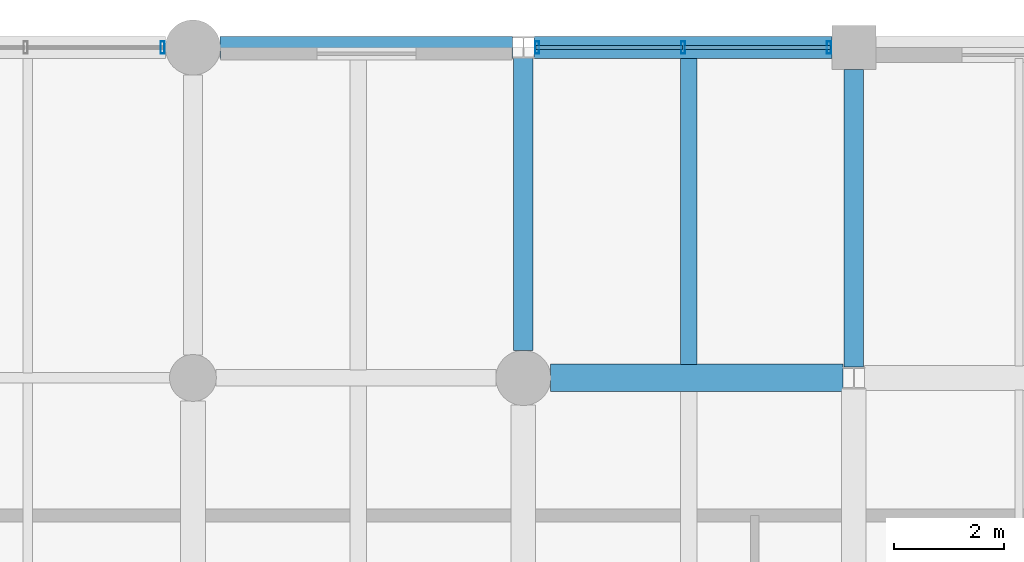
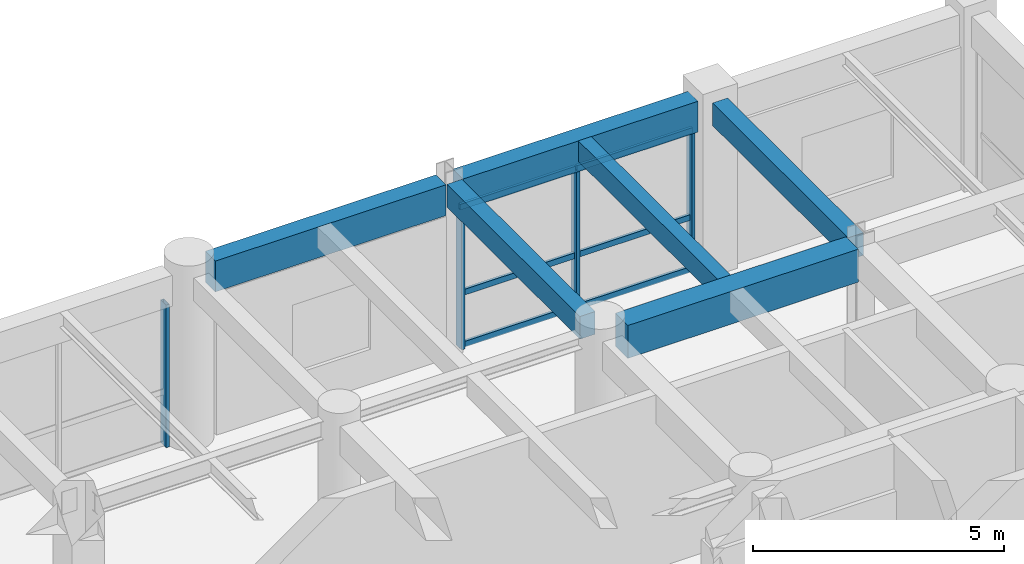
# One storey, part 86 of 133: 10 members, 6 beams, 2 elements without a shape of their own.
"""IFC4 building model written with IfcOpenShell, lengths in metres."""

from ifc_helpers import new_model, si_unit, direction, frame, origin, origin_2d, place, context, subcontext, project, spatial, rectangle, hollow_rectangle, extrude, material, material_profile, profile_set, type_object, element, aggregate, save


model = new_model("IFC4")

# Units and contexts
model_context = context("Model", 3, precision=1e-05, world=origin(), true_north=direction((0.0, 1.0)))
body_context = subcontext(model_context, "Body", "Model", "MODEL_VIEW")
ifc_project = project(units=[si_unit("LENGTHUNIT", "METRE"), si_unit("AREAUNIT", "SQUARE_METRE"), si_unit("VOLUMEUNIT", "CUBIC_METRE"), si_unit("PLANEANGLEUNIT", "RADIAN"), si_unit("MASSUNIT", "GRAM", prefix="KILO"), si_unit("THERMODYNAMICTEMPERATUREUNIT", "KELVIN"), si_unit("POWERUNIT", "WATT")], contexts=[model_context])

# Site, building, storey
site_placement = place(None, origin())
site = spatial("IfcSite", under=ifc_project, at=site_placement, CompositionType="ELEMENT")
building_placement = place(site_placement, origin())
building = spatial("IfcBuilding", under=site, at=building_placement, Name="Phaisarnlok Congress Hotel", CompositionType="ELEMENT")
storey_placement = place(building_placement, frame((0.0, 0.0, 6.0)))
storey = spatial("IfcBuildingStorey", under=building, at=storey_placement, Name="L01", CompositionType="ELEMENT", Elevation=6.0)

# Beams
ifc_material_1 = material(Name="Concrete C40/50", Category="concrete")
ifc_material_profile_1 = material_profile(ifc_material_1, rectangle(XDim=0.35009765625, YDim=0.550048828125, at=origin_2d()), Name="RC 350x550")
ifc_profile_set_1 = profile_set([ifc_material_profile_1], Name="Concrete C40/50")
beam_type_1 = type_object("IfcBeamType", Name="BM-RC-350x550", PredefinedType="BEAM", material=ifc_profile_set_1)
beam_1_placement = place(storey_placement, frame((168.0, 120.4951171875, 3.945068359375), z_axis=(0.0, 1.0, 0.0), x_axis=(-1.0, 0.0, 0.0)))
element("IfcBeam", 1, at=beam_1_placement, inside=storey, type_object=beam_type_1, Name="Beam B-01", PredefinedType="BEAM", context=body_context, shape_type="SweptSolid", body=[
    extrude(rectangle(XDim=0.35009765625, YDim=0.550048828125, at=origin_2d()), origin(), (0.0, 0.0, 1.0), 5.310302734375),
])
beam_2_placement = place(storey_placement, frame((174.0, 120.194580078125, 3.945068359375), z_axis=(0.0, 1.0, 0.0), x_axis=(-1.0, 0.0, 0.0)))
element("IfcBeam", 2, at=beam_2_placement, inside=storey, type_object=beam_type_1, Name="Beam B-01", PredefinedType="BEAM", context=body_context, shape_type="SweptSolid", body=[
    extrude(rectangle(XDim=0.35009765625, YDim=0.550048828125, at=origin_2d()), origin(), (0.0, 0.0, 1.0), 5.410400390625),
])
ifc_material_profile_2 = material_profile(ifc_material_1, rectangle(XDim=0.5, YDim=0.800048828125, at=origin_2d()), Name="RC 500x800")
ifc_profile_set_2 = profile_set([ifc_material_profile_2], Name="Concrete C40/50")
beam_type_2 = type_object("IfcBeamType", Name="BM-RC-500x800", PredefinedType="BEAM", material=ifc_profile_set_2)
beam_3_placement = place(storey_placement, frame((168.4951171875, 120.0, 3.820068359375), z_axis=(1.0, 0.0, 0.0), x_axis=(0.0, 1.0, 0.0)))
element("IfcBeam", 3, at=beam_3_placement, inside=storey, type_object=beam_type_2, Name="Beam B-04", PredefinedType="BEAM", context=body_context, shape_type="SweptSolid", body=[
    extrude(rectangle(XDim=0.5, YDim=0.800048828125, at=origin_2d()), origin(), (0.0, 0.0, 1.0), 5.309326171875),
])

# Curtain wall, members
ifc_material_2 = material(Name="Thermally Broken Unitised Aluminium & Low-E Glazing", Category="aluminium")
curtain_wall_type_1 = type_object("IfcCurtainWallType", Name="CW-UNIT-14", PredefinedType="NOTDEFINED", material=ifc_material_2)
curtain_wall_1_placement = place(storey_placement, origin())
curtain_wall_1 = element("IfcCurtainWall", 4, at=curtain_wall_1_placement, inside=storey, type_object=curtain_wall_type_1, Name="Unitised curtain wall CW-14 (L01)", PredefinedType="NOTDEFINED")
ifc_material_3 = material(Name="Anodised Aluminium Alloy 6063-T6", Category="aluminium")
ifc_material_profile_3 = material_profile(ifc_material_3, hollow_rectangle(XDim=0.074951171875, YDim=0.219970703125, WallThickness=0.0048828125, at=origin_2d()), Name="ALU-M 75x220x5")
ifc_profile_set_3 = profile_set([ifc_material_profile_3], Name="Anodised Aluminium Alloy 6063-T6")
member_type_1 = type_object("IfcMemberType", Name="CWM-220", PredefinedType="MULLION", material=ifc_profile_set_3)
member_1_placement = place(storey_placement, frame((173.550048828125, 126.0, 0.0), z_axis=(0.0, 0.0, 1.0), x_axis=(-1.0, 0.0, 0.0)))
member_1 = element("IfcMember", 5, at=member_1_placement, type_object=member_type_1, Name="Curtain wall mullion CWM-02", PredefinedType="MULLION", context=body_context, shape_type="SweptSolid", body=[
    extrude(hollow_rectangle(XDim=0.074951171875, YDim=0.219970703125, WallThickness=0.0048828125, at=origin_2d()), origin(), (0.0, 0.0, 1.0), 3.469970703125),
])
member_2_placement = place(storey_placement, frame((170.900146484375, 126.0, 0.0), z_axis=(0.0, 0.0, 1.0), x_axis=(-1.0, 0.0, 0.0)))
member_2 = element("IfcMember", 6, at=member_2_placement, type_object=member_type_1, Name="Curtain wall mullion CWM-02", PredefinedType="MULLION", context=body_context, shape_type="SweptSolid", body=[
    extrude(hollow_rectangle(XDim=0.074951171875, YDim=0.219970703125, WallThickness=0.0048828125, at=origin_2d()), origin(), (0.0, 0.0, 1.0), 3.469970703125),
])
member_3_placement = place(storey_placement, frame((168.25048828125, 126.0, 0.0), z_axis=(0.0, 0.0, 1.0), x_axis=(-1.0, 0.0, 0.0)))
member_3 = element("IfcMember", 7, at=member_3_placement, type_object=member_type_1, Name="Curtain wall mullion CWM-02", PredefinedType="MULLION", context=body_context, shape_type="SweptSolid", body=[
    extrude(hollow_rectangle(XDim=0.074951171875, YDim=0.219970703125, WallThickness=0.0048828125, at=origin_2d()), origin(), (0.0, 0.0, 1.0), 3.469970703125),
])

# Curtain wall, member
curtain_wall_type_2 = type_object("IfcCurtainWallType", Name="CW-UNIT-12", PredefinedType="NOTDEFINED", material=ifc_material_2)
curtain_wall_2_placement = place(storey_placement, origin())
curtain_wall_2 = element("IfcCurtainWall", 8, at=curtain_wall_2_placement, inside=storey, type_object=curtain_wall_type_2, Name="Unitised curtain wall CW-12 (L01)", PredefinedType="NOTDEFINED")
member_4_placement = place(storey_placement, frame((161.449951171875, 126.0, 0.0), z_axis=(0.0, 0.0, 1.0), x_axis=(-1.0, 0.0, 0.0)))
member_4 = element("IfcMember", 9, at=member_4_placement, type_object=member_type_1, Name="Curtain wall mullion CWM-02", PredefinedType="MULLION", context=body_context, shape_type="SweptSolid", body=[
    extrude(hollow_rectangle(XDim=0.074951171875, YDim=0.219970703125, WallThickness=0.0048828125, at=origin_2d()), origin(), (0.0, 0.0, 1.0), 3.469970703125),
])
aggregate(curtain_wall_2, [member_4])

# Member
ifc_material_profile_4 = material_profile(ifc_material_3, hollow_rectangle(XDim=0.06494140625, YDim=0.139892578125, WallThickness=0.00390625, at=origin_2d()), Name="ALU-T 65x140x4")
ifc_profile_set_4 = profile_set([ifc_material_profile_4], Name="Anodised Aluminium Alloy 6063-T6")
member_type_2 = type_object("IfcMemberType", Name="CWT-150", PredefinedType="USERDEFINED", material=ifc_profile_set_4)
member_5_placement = place(storey_placement, frame((173.574951171875, 126.0, 0.050048828125), z_axis=(-1.0, 0.0, 0.0), x_axis=(0.0, -1.0, 0.0)))
member_5 = element("IfcMember", 10, at=member_5_placement, type_object=member_type_2, Name="Curtain wall transom CWT-01", ObjectType="TRANSOM", PredefinedType="USERDEFINED", context=body_context, shape_type="SweptSolid", body=[
    extrude(hollow_rectangle(XDim=0.06494140625, YDim=0.139892578125, WallThickness=0.00390625, at=origin_2d()), origin(), (0.0, 0.0, 1.0), 2.65966796875),
])

member_6_placement = place(storey_placement, frame((173.574951171875, 126.0, 1.318603515625), z_axis=(-1.0, 0.0, 0.0), x_axis=(0.0, -1.0, 0.0)))
member_6 = element("IfcMember", 11, at=member_6_placement, type_object=member_type_2, Name="Curtain wall transom CWT-01", ObjectType="TRANSOM", PredefinedType="USERDEFINED", context=body_context, shape_type="SweptSolid", body=[
    extrude(hollow_rectangle(XDim=0.06494140625, YDim=0.139892578125, WallThickness=0.00390625, at=origin_2d()), origin(), (0.0, 0.0, 1.0), 2.65966796875),
])

member_7_placement = place(storey_placement, frame((173.574951171875, 126.0, 3.419921875), z_axis=(-1.0, 0.0, 0.0), x_axis=(0.0, -1.0, 0.0)))
member_7 = element("IfcMember", 12, at=member_7_placement, type_object=member_type_2, Name="Curtain wall transom CWT-01", ObjectType="TRANSOM", PredefinedType="USERDEFINED", context=body_context, shape_type="SweptSolid", body=[
    extrude(hollow_rectangle(XDim=0.06494140625, YDim=0.139892578125, WallThickness=0.00390625, at=origin_2d()), origin(), (0.0, 0.0, 1.0), 2.65966796875),
])

member_8_placement = place(storey_placement, frame((170.88525390625, 126.0, 0.050048828125), z_axis=(-1.0, 0.0, 0.0), x_axis=(0.0, -1.0, 0.0)))
member_8 = element("IfcMember", 13, at=member_8_placement, type_object=member_type_2, Name="Curtain wall transom CWT-01", ObjectType="TRANSOM", PredefinedType="USERDEFINED", context=body_context, shape_type="SweptSolid", body=[
    extrude(hollow_rectangle(XDim=0.06494140625, YDim=0.139892578125, WallThickness=0.00390625, at=origin_2d()), origin(), (0.0, 0.0, 1.0), 2.65966796875),
])

member_9_placement = place(storey_placement, frame((170.88525390625, 126.0, 1.318603515625), z_axis=(-1.0, 0.0, 0.0), x_axis=(0.0, -1.0, 0.0)))
member_9 = element("IfcMember", 14, at=member_9_placement, type_object=member_type_2, Name="Curtain wall transom CWT-01", ObjectType="TRANSOM", PredefinedType="USERDEFINED", context=body_context, shape_type="SweptSolid", body=[
    extrude(hollow_rectangle(XDim=0.06494140625, YDim=0.139892578125, WallThickness=0.00390625, at=origin_2d()), origin(), (0.0, 0.0, 1.0), 2.65966796875),
])

member_10_placement = place(storey_placement, frame((170.88525390625, 126.0, 3.419921875), z_axis=(-1.0, 0.0, 0.0), x_axis=(0.0, -1.0, 0.0)))
member_10 = element("IfcMember", 15, at=member_10_placement, type_object=member_type_2, Name="Curtain wall transom CWT-01", ObjectType="TRANSOM", PredefinedType="USERDEFINED", context=body_context, shape_type="SweptSolid", body=[
    extrude(hollow_rectangle(XDim=0.06494140625, YDim=0.139892578125, WallThickness=0.00390625, at=origin_2d()), origin(), (0.0, 0.0, 1.0), 2.65966796875),
])

aggregate(curtain_wall_1, [member_1, member_2, member_3, member_5, member_6, member_7, member_8, member_9, member_10])

# Beams
ifc_material_profile_5 = material_profile(ifc_material_1, rectangle(XDim=0.300048828125, YDim=0.5, at=origin_2d()), Name="RC 300x500")
ifc_profile_set_5 = profile_set([ifc_material_profile_5], Name="Concrete C40/50")
beam_type_3 = type_object("IfcBeamType", Name="JS-RC-300x500", PredefinedType="JOIST", material=ifc_profile_set_5)
beam_4_placement = place(storey_placement, frame((171.0, 120.2451171875, 3.969970703125), z_axis=(0.0, 1.0, 0.0), x_axis=(-1.0, 0.0, 0.0)))
element("IfcBeam", 16, at=beam_4_placement, inside=storey, type_object=beam_type_3, Name="Secondary floor joist J-01", PredefinedType="JOIST", context=body_context, shape_type="SweptSolid", body=[
    extrude(rectangle(XDim=0.300048828125, YDim=0.5, at=origin_2d()), origin(), (0.0, 0.0, 1.0), 5.559814453125),
])
ifc_material_profile_6 = material_profile(ifc_material_1, rectangle(XDim=0.39990234375, YDim=0.75, at=origin_2d()), Name="RC 400x750")
ifc_profile_set_6 = profile_set([ifc_material_profile_6], Name="Concrete C40/50")
beam_type_4 = type_object("IfcBeamType", Name="SP-RC-400x750", PredefinedType="SPANDREL", material=ifc_profile_set_6)
beam_5_placement = place(storey_placement, frame((162.4951171875, 126.0, 3.844970703125), z_axis=(1.0, 0.0, 0.0), x_axis=(0.0, 1.0, 0.0)))
element("IfcBeam", 17, at=beam_5_placement, inside=storey, type_object=beam_type_4, Name="Beam SP-02", PredefinedType="SPANDREL", context=body_context, shape_type="SweptSolid", body=[
    extrude(rectangle(XDim=0.39990234375, YDim=0.75, at=origin_2d()), origin(), (0.0, 0.0, 1.0), 5.309326171875),
])
beam_6_placement = place(storey_placement, frame((168.195556640625, 126.0, 3.844970703125), z_axis=(1.0, 0.0, 0.0), x_axis=(0.0, 1.0, 0.0)))
element("IfcBeam", 18, at=beam_6_placement, inside=storey, type_object=beam_type_4, Name="Beam SP-02", PredefinedType="SPANDREL", context=body_context, shape_type="SweptSolid", body=[
    extrude(rectangle(XDim=0.39990234375, YDim=0.75, at=origin_2d()), origin(), (0.0, 0.0, 1.0), 5.409423828125),
])

save(model, "model.ifc")
